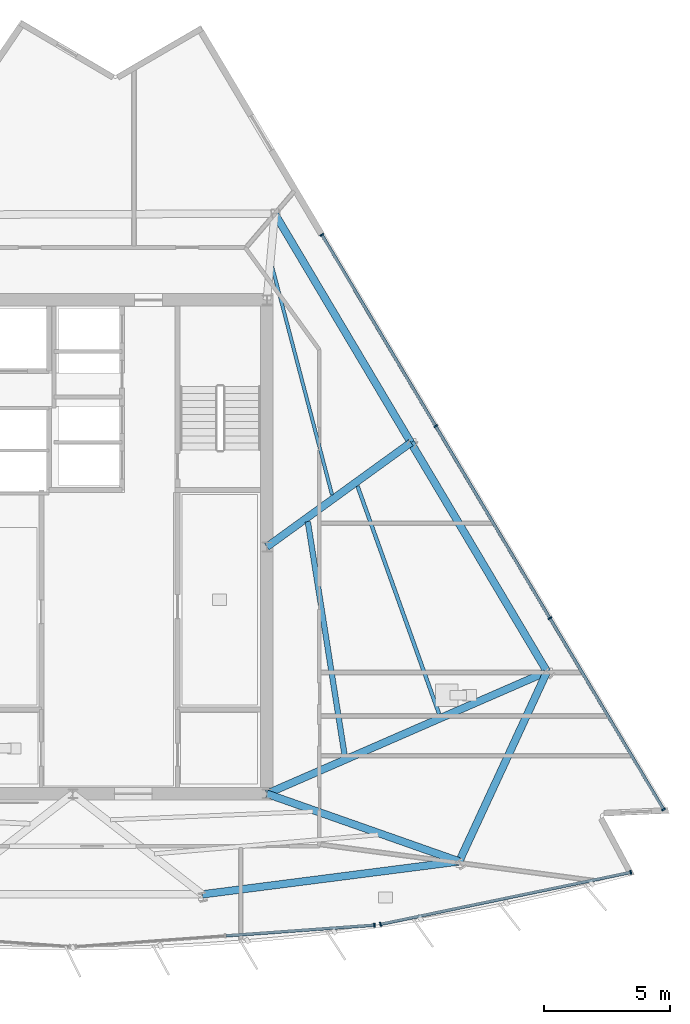
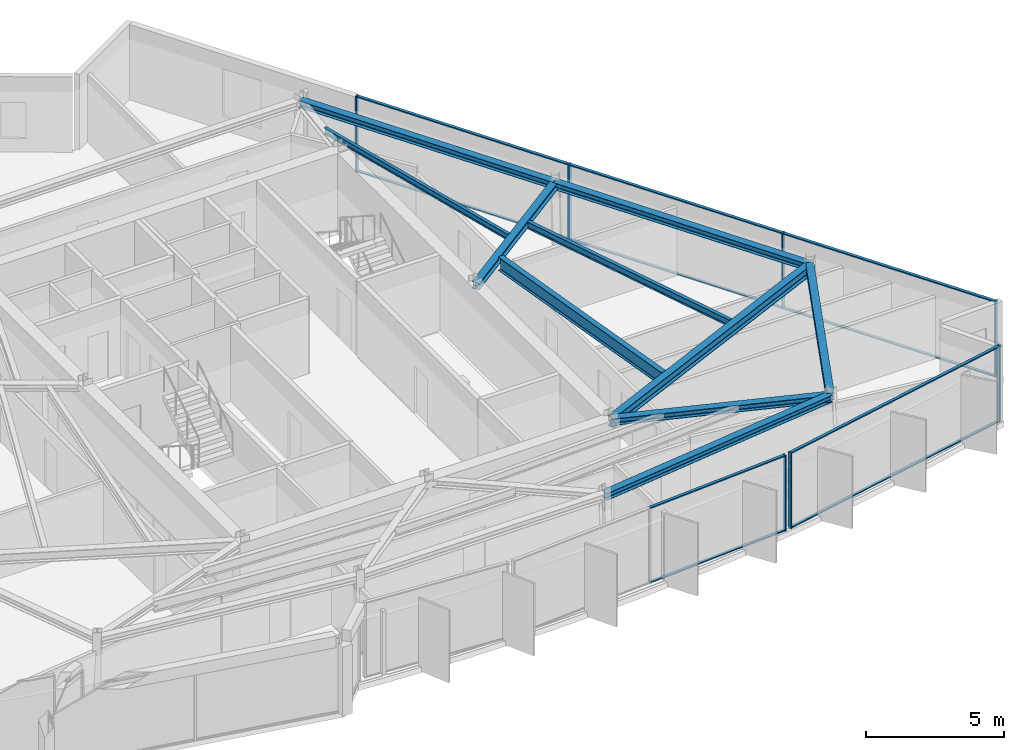
# One storey, part 5 of 13: 17 members, 10 beams, 3 elements without a shape of their own.
"""IFC4 building model written with IfcOpenShell, lengths in metres."""

from ifc_helpers import new_model, si_unit, direction, frame, origin, origin_2d, place, context, subcontext, project, spatial, rectangle, i_section, extrude, material, material_profile, profile_set, type_object, element, aggregate, save


model = new_model("IFC4")

# Units and contexts
model_context = context("Model", 3, precision=1e-05, world=origin(), true_north=direction((0.0, 1.0)))
body_context = subcontext(model_context, "Body", "Model", "MODEL_VIEW")
ifc_project = project(units=[si_unit("LENGTHUNIT", "METRE"), si_unit("AREAUNIT", "SQUARE_METRE"), si_unit("VOLUMEUNIT", "CUBIC_METRE"), si_unit("PLANEANGLEUNIT", "RADIAN"), si_unit("MASSUNIT", "GRAM", prefix="KILO")], contexts=[model_context])

# Site, building, storey
site_placement = place(None, origin())
site = spatial("IfcSite", under=ifc_project, at=site_placement, CompositionType="ELEMENT")
building_placement = place(site_placement, origin())
building = spatial("IfcBuilding", under=site, at=building_placement, Name="Savorim Split Tower", CompositionType="ELEMENT")
storey_placement = place(building_placement, frame((0.0, 0.0, 276.0)))
storey = spatial("IfcBuildingStorey", under=building, at=storey_placement, Name="L73", CompositionType="ELEMENT", Elevation=276.0)

# Beams
ifc_material_1 = material(Name="Steel S355", Category="steel")
ifc_material_profile_1 = material_profile(ifc_material_1, i_section(OverallWidth=0.135009765625, OverallDepth=0.27001953125, WebThickness=0.006591796875, FlangeThickness=0.01025390625, FilletRadius=0.014892578125, at=origin_2d()), Name="IPE 270")
ifc_profile_set_1 = profile_set([ifc_material_profile_1], Name="Steel S355")
beam_type_1 = type_object("IfcBeamType", Name="BM-JST-IPE270", PredefinedType="JOIST", material=ifc_profile_set_1)
beam_1_placement = place(storey_placement, frame((10.288818359375, 2.45849609375, 3.215087890625), z_axis=(-0.253864074127, 0.967239903989, 0.0), x_axis=(-0.967239903989, -0.253864074127, 0.0)))
element("IfcBeam", 1, at=beam_1_placement, inside=storey, type_object=beam_type_1, Name="L73 Secondary Floor Joist JS-07", PredefinedType="JOIST", context=body_context, shape_type="SweptSolid", body=[
    extrude(i_section(OverallWidth=0.135009765625, OverallDepth=0.27001953125, WebThickness=0.006591796875, FlangeThickness=0.01025390625, FilletRadius=0.014892578125, at=origin_2d()), origin(), (0.0, 0.0, 1.0), 9.4736328125),
])
ifc_material_profile_2 = material_profile(ifc_material_1, i_section(OverallWidth=0.14990234375, OverallDepth=0.300048828125, WebThickness=0.007080078125, FlangeThickness=0.0107421875, FilletRadius=0.014892578125, at=origin_2d()), Name="IPE 300")
ifc_profile_set_2 = profile_set([ifc_material_profile_2], Name="Steel S355")
beam_type_2 = type_object("IfcBeamType", Name="BM-JST-IPE300", PredefinedType="JOIST", material=ifc_profile_set_2)
beam_2_placement = place(storey_placement, frame((14.540771484375, -6.24267578125, 3.199951171875), z_axis=(-0.337070938939, 0.941479252094, 0.0), x_axis=(-0.941479252094, -0.337070938939, 0.0)))
element("IfcBeam", 2, at=beam_2_placement, inside=storey, type_object=beam_type_2, Name="L73 Secondary Floor Joist JS-06", PredefinedType="JOIST", context=body_context, shape_type="SweptSolid", body=[
    extrude(i_section(OverallWidth=0.14990234375, OverallDepth=0.300048828125, WebThickness=0.007080078125, FlangeThickness=0.0107421875, FilletRadius=0.014892578125, at=origin_2d()), origin(), (0.0, 0.0, 1.0), 9.620849609375),
])
ifc_material_profile_3 = material_profile(ifc_material_1, i_section(OverallWidth=0.219970703125, OverallDepth=0.60009765625, WebThickness=0.011962890625, FlangeThickness=0.01904296875, FilletRadius=0.02392578125, at=origin_2d()), Name="IPE 600")
ifc_profile_set_3 = profile_set([ifc_material_profile_3], Name="Steel S355")
beam_type_3 = type_object("IfcBeamType", Name="BM-JST-IPE600", PredefinedType="JOIST", material=ifc_profile_set_3)
beam_3_placement = place(storey_placement, frame((10.788818359375, -7.884033203125, 3.050048828125), z_axis=(-0.155686473764, 0.987806520472, 0.0), x_axis=(-0.987806520472, -0.155686473764, 0.0)))
element("IfcBeam", 3, at=beam_3_placement, inside=storey, type_object=beam_type_3, Name="L73 Secondary Floor Joist JS-08", PredefinedType="JOIST", context=body_context, shape_type="SweptSolid", body=[
    extrude(i_section(OverallWidth=0.219970703125, OverallDepth=0.60009765625, WebThickness=0.011962890625, FlangeThickness=0.01904296875, FilletRadius=0.02392578125, at=origin_2d()), origin(), (0.0, 0.0, 1.0), 9.3994140625),
])
ifc_material_profile_4 = material_profile(ifc_material_1, i_section(OverallWidth=0.300048828125, OverallDepth=0.300048828125, WebThickness=0.010986328125, FlangeThickness=0.01904296875, FilletRadius=0.027099609375, at=origin_2d()), Name="HEB 300")
ifc_profile_set_4 = profile_set([ifc_material_profile_4], Name="Steel S355")
beam_type_4 = type_object("IfcBeamType", Name="BM-PRI-HEB300", PredefinedType="BEAM", material=ifc_profile_set_4)
beam_4_placement = place(storey_placement, frame((15.333251953125, -12.082763671875, 3.199951171875), z_axis=(-0.943425703044, 0.331583990621, 0.0), x_axis=(-0.331583990621, -0.943425703044, 0.0)))
element("IfcBeam", 4, at=beam_4_placement, inside=storey, type_object=beam_type_4, Name="L73 Primary Floor Girder RG-04", PredefinedType="BEAM", context=body_context, shape_type="SweptSolid", body=[
    extrude(i_section(OverallWidth=0.300048828125, OverallDepth=0.300048828125, WebThickness=0.010986328125, FlangeThickness=0.01904296875, FilletRadius=0.027099609375, at=origin_2d()), origin(), (0.0, 0.0, 1.0), 8.091064453125),
])
beam_5_placement = place(storey_placement, frame((13.416015625, 4.53857421875, 3.199951171875), z_axis=(-0.809978954998, -0.586458943541, 0.0), x_axis=(0.586458943541, -0.809978954998, 0.0)))
element("IfcBeam", 5, at=beam_5_placement, inside=storey, type_object=beam_type_4, Name="L73 Primary Floor Girder RG-06", PredefinedType="BEAM", context=body_context, shape_type="SweptSolid", body=[
    extrude(i_section(OverallWidth=0.300048828125, OverallDepth=0.300048828125, WebThickness=0.010986328125, FlangeThickness=0.01904296875, FilletRadius=0.027099609375, at=origin_2d()), origin(), (0.0, 0.0, 1.0), 7.05712890625),
])
ifc_material_profile_5 = material_profile(ifc_material_1, i_section(OverallWidth=0.300048828125, OverallDepth=0.449951171875, WebThickness=0.013916015625, FlangeThickness=0.02587890625, FilletRadius=0.027099609375, at=origin_2d()), Name="HEB 450")
ifc_profile_set_5 = profile_set([ifc_material_profile_5], Name="Steel S355")
beam_type_5 = type_object("IfcBeamType", Name="BM-PRI-HEB450", PredefinedType="BEAM", material=ifc_profile_set_5)
beam_6_placement = place(storey_placement, frame((18.820556640625, -4.55029296875, 3.125), z_axis=(-0.91663055625, -0.399735441698, 0.0), x_axis=(0.399735441698, -0.91663055625, 0.0)))
element("IfcBeam", 6, at=beam_6_placement, inside=storey, type_object=beam_type_5, Name="L73 Primary Floor Girder RG-05", PredefinedType="BEAM", context=body_context, shape_type="SweptSolid", body=[
    extrude(i_section(OverallWidth=0.300048828125, OverallDepth=0.449951171875, WebThickness=0.013916015625, FlangeThickness=0.02587890625, FilletRadius=0.027099609375, at=origin_2d()), origin(), (0.0, 0.0, 1.0), 12.132080078125),
])
ifc_material_profile_6 = material_profile(ifc_material_1, i_section(OverallWidth=0.300048828125, OverallDepth=0.31005859375, WebThickness=0.009033203125, FlangeThickness=0.015380859375, FilletRadius=0.027099609375, at=origin_2d()), Name="HEA 320")
ifc_profile_set_6 = profile_set([ifc_material_profile_6], Name="Steel S355")
beam_type_6 = type_object("IfcBeamType", Name="BM-SPN-HEA320", PredefinedType="SPANDREL", material=ifc_profile_set_6)
beam_7_placement = place(storey_placement, frame((5.138916015625, -13.3916015625, 3.195068359375), z_axis=(0.991858678419, 0.127343480578, 0.0), x_axis=(-0.127343480578, 0.991858678419, 0.0)))
element("IfcBeam", 7, at=beam_7_placement, inside=storey, type_object=beam_type_6, Name="L73 Perimeter Spandrel Beam 3", PredefinedType="SPANDREL", context=body_context, shape_type="SweptSolid", body=[
    extrude(i_section(OverallWidth=0.300048828125, OverallDepth=0.31005859375, WebThickness=0.009033203125, FlangeThickness=0.015380859375, FilletRadius=0.027099609375, at=origin_2d()), origin(), (0.0, 0.0, 1.0), 10.278076171875),
])
beam_8_placement = place(storey_placement, frame((15.333251953125, -12.082763671875, 3.195068359375), z_axis=(0.420128502033, 0.90746462288, 0.0), x_axis=(-0.90746462288, 0.420128502033, 0.0)))
element("IfcBeam", 8, at=beam_8_placement, inside=storey, type_object=beam_type_6, Name="L73 Perimeter Spandrel Beam 4", PredefinedType="SPANDREL", context=body_context, shape_type="SweptSolid", body=[
    extrude(i_section(OverallWidth=0.300048828125, OverallDepth=0.31005859375, WebThickness=0.009033203125, FlangeThickness=0.015380859375, FilletRadius=0.027099609375, at=origin_2d()), origin(), (0.0, 0.0, 1.0), 8.300537109375),
])
beam_9_placement = place(storey_placement, frame((18.820556640625, -4.55029296875, 3.195068359375), z_axis=(-0.511099826365, 0.859521359531, 0.0), x_axis=(-0.859521359531, -0.511099826365, 0.0)))
element("IfcBeam", 9, at=beam_9_placement, inside=storey, type_object=beam_type_6, Name="L73 Perimeter Spandrel Beam 5", PredefinedType="SPANDREL", context=body_context, shape_type="SweptSolid", body=[
    extrude(i_section(OverallWidth=0.300048828125, OverallDepth=0.31005859375, WebThickness=0.009033203125, FlangeThickness=0.015380859375, FilletRadius=0.027099609375, at=origin_2d()), origin(), (0.0, 0.0, 1.0), 10.57421875),
])
beam_10_placement = place(storey_placement, frame((13.416015625, 4.53857421875, 3.195068359375), z_axis=(-0.511089683929, 0.859527390478, 0.0), x_axis=(-0.859527390478, -0.511089683929, 0.0)))
element("IfcBeam", 10, at=beam_10_placement, inside=storey, type_object=beam_type_6, Name="L73 Perimeter Spandrel Beam 6", PredefinedType="SPANDREL", context=body_context, shape_type="SweptSolid", body=[
    extrude(i_section(OverallWidth=0.300048828125, OverallDepth=0.31005859375, WebThickness=0.009033203125, FlangeThickness=0.015380859375, FilletRadius=0.027099609375, at=origin_2d()), origin(), (0.0, 0.0, 1.0), 10.574462890625),
])

# Curtain wall, member
ifc_material_2 = material(Name="Dark Ceramic-Fritted Insulated Glass", Category="glass")
curtain_wall_type = type_object("IfcCurtainWallType", Name="CW-TWR-FRIT-B", PredefinedType="NOTDEFINED", material=ifc_material_2)
curtain_wall_1_placement = place(storey_placement, origin())
curtain_wall_1 = element("IfcCurtainWall", 11, at=curtain_wall_1_placement, inside=storey, type_object=curtain_wall_type, Name="L73 Curtain Wall CW-L73-SF3A", PredefinedType="NOTDEFINED")
ifc_material_3 = material(Name="Charcoal Anodised Aluminium", Category="aluminium")
ifc_material_profile_7 = material_profile(ifc_material_3, rectangle(XDim=0.159912109375, YDim=0.06005859375, at=origin_2d()), Name="ALU-M 160x60")
ifc_profile_set_7 = profile_set([ifc_material_profile_7], Name="Charcoal Anodised Aluminium")
member_type_1 = type_object("IfcMemberType", Name="CWM-160x60", PredefinedType="MULLION", material=ifc_profile_set_7)
member_1_placement = place(storey_placement, frame((11.967529296875, -14.610107421875, 0.0), z_axis=(0.0, 0.0, 1.0), x_axis=(-0.071560201608, 0.997436282449, 0.0)))
member_1 = element("IfcMember", 12, at=member_1_placement, type_object=member_type_1, Name="CW-03 mullion 3", PredefinedType="MULLION", context=body_context, shape_type="SweptSolid", body=[
    extrude(rectangle(XDim=0.159912109375, YDim=0.06005859375, at=origin_2d()), origin(), (0.0, 0.0, 1.0), 3.35009765625),
])

# Curtain wall, members
curtain_wall_2_placement = place(storey_placement, origin())
curtain_wall_2 = element("IfcCurtainWall", 13, at=curtain_wall_2_placement, inside=storey, type_object=curtain_wall_type, Name="L73 Curtain Wall CW-L73-SF4A", PredefinedType="NOTDEFINED")
member_2_placement = place(storey_placement, frame((12.20849609375, -14.57666015625, 0.0), z_axis=(0.0, 0.0, 1.0), x_axis=(-0.203215038861, 0.979134131762, 0.0)))
member_2 = element("IfcMember", 14, at=member_2_placement, type_object=member_type_1, Name="CW-03 mullion 1", PredefinedType="MULLION", context=body_context, shape_type="SweptSolid", body=[
    extrude(rectangle(XDim=0.159912109375, YDim=0.06005859375, at=origin_2d()), origin(), (0.0, 0.0, 1.0), 3.35009765625),
])
member_3_placement = place(storey_placement, frame((22.142333984375, -12.514892578125, 0.0), z_axis=(0.0, 0.0, 1.0), x_axis=(-0.203215038861, 0.979134131762, 0.0)))
member_3 = element("IfcMember", 15, at=member_3_placement, type_object=member_type_1, Name="CW-03 mullion 2", PredefinedType="MULLION", context=body_context, shape_type="SweptSolid", body=[
    extrude(rectangle(XDim=0.159912109375, YDim=0.06005859375, at=origin_2d()), origin(), (0.0, 0.0, 1.0), 3.35009765625),
])

curtain_wall_3_placement = place(storey_placement, origin())
curtain_wall_3 = element("IfcCurtainWall", 16, at=curtain_wall_3_placement, inside=storey, type_object=curtain_wall_type, Name="L73 Curtain Wall CW-L73-EAST", PredefinedType="NOTDEFINED")
member_4_placement = place(storey_placement, frame((23.44482421875, -10.0234375, 0.0), z_axis=(0.0, 0.0, 1.0), x_axis=(-0.859526200766, -0.511091684727, 0.0)))
member_4 = element("IfcMember", 17, at=member_4_placement, type_object=member_type_1, Name="CW-03 mullion 1", PredefinedType="MULLION", context=body_context, shape_type="SweptSolid", body=[
    extrude(rectangle(XDim=0.159912109375, YDim=0.06005859375, at=origin_2d()), origin(), (0.0, 0.0, 1.0), 3.35009765625),
])
member_5_placement = place(storey_placement, frame((18.92919921875, -2.42919921875, 0.0), z_axis=(0.0, 0.0, 1.0), x_axis=(-0.859526200766, -0.511091684727, 0.0)))
member_5 = element("IfcMember", 18, at=member_5_placement, type_object=member_type_1, Name="CW-03 mullion 2", PredefinedType="MULLION", context=body_context, shape_type="SweptSolid", body=[
    extrude(rectangle(XDim=0.159912109375, YDim=0.06005859375, at=origin_2d()), origin(), (0.0, 0.0, 1.0), 3.35009765625),
])
member_6_placement = place(storey_placement, frame((14.398193359375, 5.190673828125, 0.0), z_axis=(0.0, 0.0, 1.0), x_axis=(-0.859526200766, -0.511091684727, 0.0)))
member_6 = element("IfcMember", 19, at=member_6_placement, type_object=member_type_1, Name="CW-03 mullion 3", PredefinedType="MULLION", context=body_context, shape_type="SweptSolid", body=[
    extrude(rectangle(XDim=0.159912109375, YDim=0.06005859375, at=origin_2d()), origin(), (0.0, 0.0, 1.0), 3.35009765625),
])
member_7_placement = place(storey_placement, frame((9.882568359375, 12.784912109375, 0.0), z_axis=(0.0, 0.0, 1.0), x_axis=(-0.859526200766, -0.511091684727, 0.0)))
member_7 = element("IfcMember", 20, at=member_7_placement, type_object=member_type_1, Name="CW-03 mullion 4", PredefinedType="MULLION", context=body_context, shape_type="SweptSolid", body=[
    extrude(rectangle(XDim=0.159912109375, YDim=0.06005859375, at=origin_2d()), origin(), (0.0, 0.0, 1.0), 3.35009765625),
])

# Member
ifc_material_profile_8 = material_profile(ifc_material_3, rectangle(XDim=0.1201171875, YDim=0.050048828125, at=origin_2d()), Name="ALU-T 120x50")
ifc_profile_set_8 = profile_set([ifc_material_profile_8], Name="Charcoal Anodised Aluminium")
member_type_2 = type_object("IfcMemberType", Name="CWT-120x50", PredefinedType="USERDEFINED", material=ifc_profile_set_8)
member_8_placement = place(storey_placement, frame((6.07421875, -15.032958984375, 0.02490234375), z_axis=(0.997436303512, 0.071559908018, 0.0), x_axis=(-0.071559908018, 0.997436303512, 0.0)))
member_8 = element("IfcMember", 21, at=member_8_placement, type_object=member_type_2, Name="CW-03 transom 2.1", ObjectType="TRANSOM", PredefinedType="USERDEFINED", context=body_context, shape_type="SweptSolid", body=[
    extrude(rectangle(XDim=0.1201171875, YDim=0.050048828125, at=origin_2d()), origin(), (0.0, 0.0, 1.0), 5.87841796875),
])

member_9_placement = place(storey_placement, frame((6.07421875, -15.032958984375, 3.324951171875), z_axis=(0.997436303512, 0.071559908018, 0.0), x_axis=(-0.071559908018, 0.997436303512, 0.0)))
member_9 = element("IfcMember", 22, at=member_9_placement, type_object=member_type_2, Name="CW-03 transom 2.2", ObjectType="TRANSOM", PredefinedType="USERDEFINED", context=body_context, shape_type="SweptSolid", body=[
    extrude(rectangle(XDim=0.1201171875, YDim=0.050048828125, at=origin_2d()), origin(), (0.0, 0.0, 1.0), 5.87841796875),
])

aggregate(curtain_wall_1, [member_1, member_8, member_9])

member_10_placement = place(storey_placement, frame((12.238037109375, -14.570556640625, 0.02490234375), z_axis=(0.9791332013, 0.203219521977, 0.0), x_axis=(-0.203219521977, 0.9791332013, 0.0)))
member_10 = element("IfcMember", 23, at=member_10_placement, type_object=member_type_2, Name="CW-03 transom 1.1", ObjectType="TRANSOM", PredefinedType="USERDEFINED", context=body_context, shape_type="SweptSolid", body=[
    extrude(rectangle(XDim=0.1201171875, YDim=0.050048828125, at=origin_2d()), origin(), (0.0, 0.0, 1.0), 10.08544921875),
])

member_11_placement = place(storey_placement, frame((12.238037109375, -14.570556640625, 3.324951171875), z_axis=(0.9791332013, 0.203219521977, 0.0), x_axis=(-0.203219521977, 0.9791332013, 0.0)))
member_11 = element("IfcMember", 24, at=member_11_placement, type_object=member_type_2, Name="CW-03 transom 1.2", ObjectType="TRANSOM", PredefinedType="USERDEFINED", context=body_context, shape_type="SweptSolid", body=[
    extrude(rectangle(XDim=0.1201171875, YDim=0.050048828125, at=origin_2d()), origin(), (0.0, 0.0, 1.0), 10.08544921875),
])

aggregate(curtain_wall_2, [member_2, member_3, member_10, member_11])

member_12_placement = place(storey_placement, frame((23.429443359375, -9.99755859375, 0.02490234375), z_axis=(-0.511087614626, 0.859528620917, 0.0), x_axis=(-0.859528620917, -0.511087614626, 0.0)))
member_12 = element("IfcMember", 25, at=member_12_placement, type_object=member_type_2, Name="CW-03 transom 1.1", ObjectType="TRANSOM", PredefinedType="USERDEFINED", context=body_context, shape_type="SweptSolid", body=[
    extrude(rectangle(XDim=0.1201171875, YDim=0.050048828125, at=origin_2d()), origin(), (0.0, 0.0, 1.0), 8.775146484375),
])

member_13_placement = place(storey_placement, frame((23.429443359375, -9.99755859375, 3.324951171875), z_axis=(-0.511087614626, 0.859528620917, 0.0), x_axis=(-0.859528620917, -0.511087614626, 0.0)))
member_13 = element("IfcMember", 26, at=member_13_placement, type_object=member_type_2, Name="CW-03 transom 1.2", ObjectType="TRANSOM", PredefinedType="USERDEFINED", context=body_context, shape_type="SweptSolid", body=[
    extrude(rectangle(XDim=0.1201171875, YDim=0.050048828125, at=origin_2d()), origin(), (0.0, 0.0, 1.0), 8.775146484375),
])

member_14_placement = place(storey_placement, frame((18.913818359375, -2.403564453125, 0.02490234375), z_axis=(-0.511087019208, 0.859528974961, 0.0), x_axis=(-0.859528974961, -0.511087019208, 0.0)))
member_14 = element("IfcMember", 27, at=member_14_placement, type_object=member_type_2, Name="CW-03 transom 2.1", ObjectType="TRANSOM", PredefinedType="USERDEFINED", context=body_context, shape_type="SweptSolid", body=[
    extrude(rectangle(XDim=0.1201171875, YDim=0.050048828125, at=origin_2d()), origin(), (0.0, 0.0, 1.0), 8.80517578125),
])

member_15_placement = place(storey_placement, frame((18.913818359375, -2.403564453125, 3.324951171875), z_axis=(-0.511087019208, 0.859528974961, 0.0), x_axis=(-0.859528974961, -0.511087019208, 0.0)))
member_15 = element("IfcMember", 28, at=member_15_placement, type_object=member_type_2, Name="CW-03 transom 2.2", ObjectType="TRANSOM", PredefinedType="USERDEFINED", context=body_context, shape_type="SweptSolid", body=[
    extrude(rectangle(XDim=0.1201171875, YDim=0.050048828125, at=origin_2d()), origin(), (0.0, 0.0, 1.0), 8.80517578125),
])

member_16_placement = place(storey_placement, frame((14.3828125, 5.216552734375, 0.02490234375), z_axis=(-0.511087614626, 0.859528620917, 0.0), x_axis=(-0.859528620917, -0.511087614626, 0.0)))
member_16 = element("IfcMember", 29, at=member_16_placement, type_object=member_type_2, Name="CW-03 transom 3.1", ObjectType="TRANSOM", PredefinedType="USERDEFINED", context=body_context, shape_type="SweptSolid", body=[
    extrude(rectangle(XDim=0.1201171875, YDim=0.050048828125, at=origin_2d()), origin(), (0.0, 0.0, 1.0), 8.775146484375),
])

member_17_placement = place(storey_placement, frame((14.3828125, 5.216552734375, 3.324951171875), z_axis=(-0.511087614626, 0.859528620917, 0.0), x_axis=(-0.859528620917, -0.511087614626, 0.0)))
member_17 = element("IfcMember", 30, at=member_17_placement, type_object=member_type_2, Name="CW-03 transom 3.2", ObjectType="TRANSOM", PredefinedType="USERDEFINED", context=body_context, shape_type="SweptSolid", body=[
    extrude(rectangle(XDim=0.1201171875, YDim=0.050048828125, at=origin_2d()), origin(), (0.0, 0.0, 1.0), 8.775146484375),
])

aggregate(curtain_wall_3, [member_4, member_5, member_6, member_7, member_12, member_13, member_14, member_15, member_16, member_17])

save(model, "model.ifc")
